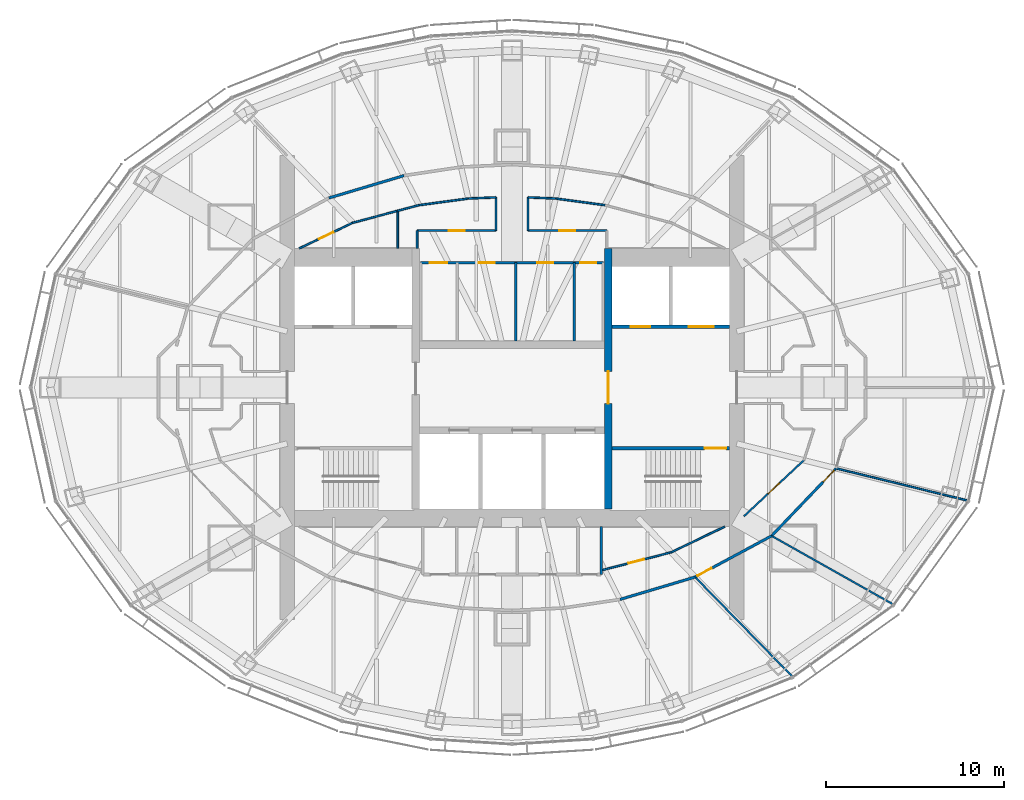
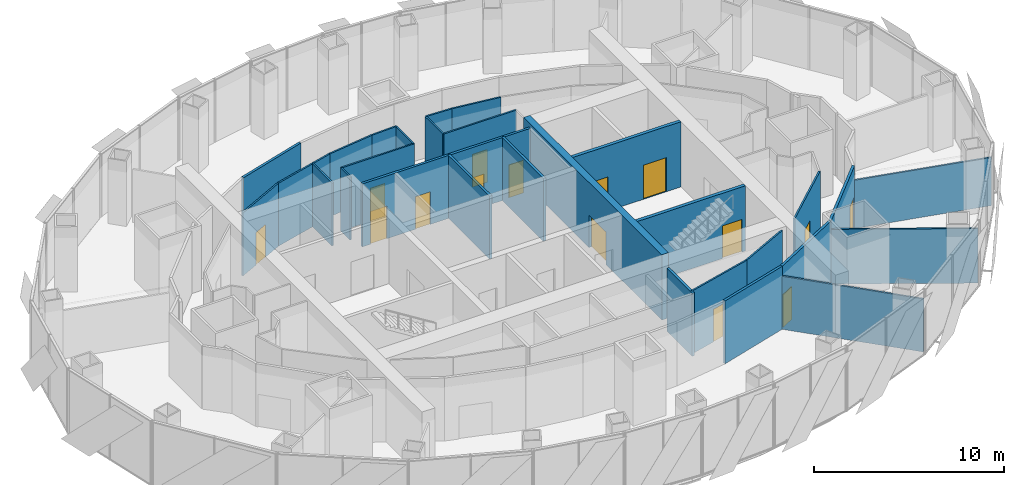
# One storey, part 13 of 17: 30 walls, 15 doors, 15 openings.
"""IFC4 building model written with IfcOpenShell, lengths in metres."""

from ifc_helpers import new_model, si_unit, direction, frame, frame_2d, origin, place, context, subcontext, project, spatial, rectangle, extrude, material, layer, layer_set, type_object, element, fill, save


model = new_model("IFC4")

# Units and contexts
model_context = context("Model", 3, precision=1e-05, world=origin(), true_north=direction((0.0, 1.0)))
body_context = subcontext(model_context, "Body", "Model", "MODEL_VIEW")
ifc_project = project(units=[si_unit("LENGTHUNIT", "METRE"), si_unit("AREAUNIT", "SQUARE_METRE"), si_unit("VOLUMEUNIT", "CUBIC_METRE"), si_unit("PLANEANGLEUNIT", "RADIAN"), si_unit("MASSUNIT", "GRAM", prefix="KILO")], contexts=[model_context])

# Site, building, storey
site_placement = place(None, origin())
site = spatial("IfcSite", under=ifc_project, at=site_placement, CompositionType="ELEMENT")
building_placement = place(site_placement, origin())
building = spatial("IfcBuilding", under=site, at=building_placement, Name="Lantaw Convention Tower", CompositionType="ELEMENT")
storey_placement = place(building_placement, frame((0.0, 0.0, 203.199951171875)))
storey = spatial("IfcBuildingStorey", under=building, at=storey_placement, Name="L47", CompositionType="ELEMENT", Elevation=203.199951171875)

# Wall, opening, door
ifc_material_1 = material(Name="Concrete C60/75", Category="concrete")
ifc_layer_1 = layer(ifc_material_1, 0.199951171875)
ifc_layer_set_1 = layer_set([ifc_layer_1], Name="Core wall 200")
wall_type_1 = type_object("IfcWallType", Name="Core wall 200", PredefinedType="SHEAR", material=ifc_layer_set_1)
wall_1_placement = place(storey_placement, frame((5.60009765625, -3.39990234375, 0.0), z_axis=(0.0, 0.0, 1.0), x_axis=(1.0, 0.0, 0.0)))
wall_1 = element("IfcWall", 1, at=wall_1_placement, inside=storey, type_object=wall_type_1, Name="Core wall ES", PredefinedType="SHEAR", context=body_context, shape_type="SweptSolid", body=[
    extrude(rectangle(XDim=6.599853515625, YDim=0.199951171875, at=frame_2d((3.2998046875, 0.0))), origin(), (0.0, 0.0, 1.0), 4.199951171875),
])
opening_1_placement = place(wall_1_placement, frame((5.199951171875, 0.0, 0.0)))
opening_1 = element("IfcOpeningElement", 2, at=opening_1_placement, cuts=wall_1, Name="Opening L47.03", PredefinedType="OPENING", context=body_context, shape_type="SweptSolid", body=[
    extrude(rectangle(XDim=1.199951171875, YDim=2.10009765625, at=frame_2d((0.60009765625, 1.050048828125))), frame((0.0, 0.10986328125, 0.0), z_axis=(0.0, -1.0, 0.0), x_axis=(1.0, 0.0, 0.0)), (0.0, 0.0, 1.0), 0.219970703125),
])
ifc_material_2 = material(Name="Steel, fire rated", Category="steel")
door_type_1 = type_object("IfcDoorType", Name="Stair door FD90", OperationType="SINGLE_SWING_RIGHT", PredefinedType="DOOR", material=ifc_material_2)
door_1_placement = place(opening_1_placement, origin())
door_1 = element("IfcDoor", 3, at=door_1_placement, inside=storey, type_object=door_type_1, Name="Exit stair door", OperationType="SINGLE_SWING_RIGHT", OverallHeight=2.10009765625, OverallWidth=1.199951171875, PredefinedType="DOOR", context=body_context, shape_type="SweptSolid", body=[
    extrude(rectangle(XDim=1.199951171875, YDim=2.10009765625, at=frame_2d((0.60009765625, 1.050048828125))), frame((0.0, 0.02490234375, 0.0), z_axis=(0.0, -1.0, 0.0), x_axis=(1.0, 0.0, 0.0)), (0.0, 0.0, 1.0), 0.050048828125),
])
fill(opening_1, door_1)

ifc_layer_2 = layer(ifc_material_1, 0.39990234375)
ifc_layer_set_2 = layer_set([ifc_layer_2], Name="Core wall 400")
wall_type_2 = type_object("IfcWallType", Name="Core wall 400", PredefinedType="SHEAR", material=ifc_layer_set_2)
wall_2_placement = place(storey_placement, frame((5.39990234375, -6.800048828125, 0.0), z_axis=(0.0, 0.0, 1.0), x_axis=(0.0, 1.0, 0.0)))
wall_2 = element("IfcWall", 4, at=wall_2_placement, inside=storey, type_object=wall_type_2, Name="Core wall XE", PredefinedType="SHEAR", context=body_context, shape_type="SweptSolid", body=[
    extrude(rectangle(XDim=14.60009765625, YDim=0.39990234375, at=frame_2d((7.300048828125, 0.0))), origin(), (0.0, 0.0, 1.0), 4.199951171875),
])
opening_2_placement = place(wall_2_placement, frame((5.89990234375, 0.0, 0.0)))
opening_2 = element("IfcOpeningElement", 5, at=opening_2_placement, cuts=wall_2, Name="Opening L47.01", PredefinedType="OPENING", context=body_context, shape_type="SweptSolid", body=[
    extrude(rectangle(XDim=1.800048828125, YDim=2.10009765625, at=frame_2d((0.89990234375, 1.050048828125))), frame((0.0, 0.2099609375, 0.0), z_axis=(0.0, -1.0, 0.0), x_axis=(1.0, 0.0, 0.0)), (0.0, 0.0, 1.0), 0.419921875),
])
door_type_2 = type_object("IfcDoorType", Name="Lobby double door FD90", OperationType="DOUBLE_DOOR_DOUBLE_SWING", PredefinedType="DOOR", material=ifc_material_2)
door_2_placement = place(opening_2_placement, origin())
door_2 = element("IfcDoor", 6, at=door_2_placement, inside=storey, type_object=door_type_2, Name="Lift lobby door", OperationType="DOUBLE_DOOR_DOUBLE_SWING", OverallHeight=2.10009765625, OverallWidth=1.800048828125, PredefinedType="DOOR", context=body_context, shape_type="SweptSolid", body=[
    extrude(rectangle(XDim=1.800048828125, YDim=2.10009765625, at=frame_2d((0.89990234375, 1.050048828125))), frame((0.0, 0.02490234375, 0.0), z_axis=(0.0, -1.0, 0.0), x_axis=(1.0, 0.0, 0.0)), (0.0, 0.0, 1.0), 0.050048828125),
])
fill(opening_2, door_2)

# Walls
ifc_material_3 = material(Name="Gypsum board on steel studs, fire rated", Category="steel")
ifc_layer_3 = layer(ifc_material_3, 0.14990234375)
ifc_layer_set_3 = layer_set([ifc_layer_3], Name="Corridor wall 150 EI 60")
wall_type_3 = type_object("IfcWallType", Name="Corridor wall 150 EI 60", PredefinedType="PARTITIONING", material=ifc_layer_set_3)
for number, where, z_axis, x_axis, name in (
    (7, (-6.05419921875, 11.88232421875, 0.0), (0.0, 0.0, 1.0), (-0.958384389306, -0.285480931648, 0.0), "Corridor wall 150"),
    (8, (6.05419921875, -11.88232421875, 0.0), (0.0, 0.0, 1.0), (0.958384389306, 0.285480931648, 0.0), "Corridor wall 150"),
):
    element("IfcWall", number, at=place(storey_placement, frame(where, z_axis=z_axis, x_axis=x_axis)), inside=storey, type_object=wall_type_3, Name=name, PredefinedType="PARTITIONING", context=body_context, shape_type="SweptSolid", body=[
        extrude(rectangle(XDim=4.392333984375, YDim=0.14990234375, at=frame_2d((2.1962890625, 0.0))), origin(), (0.0, 0.0, 1.0), 4.050048828125),
    ])

# Wall, opening, door
wall_3_placement = place(storey_placement, frame((10.263671875, -10.62841796875, 0.0), z_axis=(0.0, 0.0, 1.0), x_axis=(0.88053863253, 0.47397438393, 0.0)))
wall_3 = element("IfcWall", 9, at=wall_3_placement, inside=storey, type_object=wall_type_3, Name="Corridor wall 150", PredefinedType="PARTITIONING", context=body_context, shape_type="SweptSolid", body=[
    extrude(rectangle(XDim=4.874755859375, YDim=0.14990234375, at=frame_2d((2.4375, 0.0))), origin(), (0.0, 0.0, 1.0), 4.050048828125),
])
opening_3_placement = place(wall_3_placement, frame((0.14990234375, 0.0, 0.0)))
opening_3 = element("IfcOpeningElement", 10, at=opening_3_placement, cuts=wall_3, Name="Opening L47.35", PredefinedType="OPENING", context=body_context, shape_type="SweptSolid", body=[
    extrude(rectangle(XDim=0.89990234375, YDim=2.10009765625, at=frame_2d((0.449951171875, 1.050048828125))), frame((0.0, 0.0849609375, 0.0), z_axis=(0.0, -1.0, 0.0), x_axis=(1.0, 0.0, 0.0)), (0.0, 0.0, 1.0), 0.169921875),
])
door_type_3 = type_object("IfcDoorType", Name="Office door 900 FD30", OperationType="SINGLE_SWING_LEFT", PredefinedType="DOOR", material=ifc_material_2)
door_3_placement = place(opening_3_placement, origin())
door_3 = element("IfcDoor", 11, at=door_3_placement, inside=storey, type_object=door_type_3, Name="Pantry door", OperationType="SINGLE_SWING_LEFT", OverallHeight=2.10009765625, OverallWidth=0.89990234375, PredefinedType="DOOR", context=body_context, shape_type="SweptSolid", body=[
    extrude(rectangle(XDim=0.89990234375, YDim=2.10009765625, at=frame_2d((0.449951171875, 1.050048828125))), frame((0.0, 0.02490234375, 0.0), z_axis=(0.0, -1.0, 0.0), x_axis=(1.0, 0.0, 0.0)), (0.0, 0.0, 1.0), 0.050048828125),
])
fill(opening_3, door_3)

wall_4_placement = place(storey_placement, frame((14.55615234375, -8.31787109375, 0.0), z_axis=(0.0, 0.0, 1.0), x_axis=(0.690768413292, 0.723076067366, 0.0)))
wall_4 = element("IfcWall", 12, at=wall_4_placement, inside=storey, type_object=wall_type_3, Name="Corridor wall 150", PredefinedType="PARTITIONING", context=body_context, shape_type="SweptSolid", body=[
    extrude(rectangle(XDim=5.23681640625, YDim=0.14990234375, at=frame_2d((2.618408203125, 0.0))), origin(), (0.0, 0.0, 1.0), 4.050048828125),
])
opening_4_placement = place(wall_4_placement, frame((4.18701171875, 0.0, 0.0)))
opening_4 = element("IfcOpeningElement", 13, at=opening_4_placement, cuts=wall_4, Name="Opening L47.36", PredefinedType="OPENING", context=body_context, shape_type="SweptSolid", body=[
    extrude(rectangle(XDim=0.89990234375, YDim=2.10009765625, at=frame_2d((0.449951171875, 1.050048828125))), frame((0.0, 0.0849609375, 0.0), z_axis=(0.0, -1.0, 0.0), x_axis=(1.0, 0.0, 0.0)), (0.0, 0.0, 1.0), 0.169921875),
])
door_4_placement = place(opening_4_placement, origin())
door_4 = element("IfcDoor", 14, at=door_4_placement, inside=storey, type_object=door_type_3, Name="Meeting room door", OperationType="SINGLE_SWING_LEFT", OverallHeight=2.10009765625, OverallWidth=0.89990234375, PredefinedType="DOOR", context=body_context, shape_type="SweptSolid", body=[
    extrude(rectangle(XDim=0.89990234375, YDim=2.10009765625, at=frame_2d((0.449951171875, 1.050048828125))), frame((0.0, 0.02490234375, 0.0), z_axis=(0.0, -1.0, 0.0), x_axis=(1.0, 0.0, 0.0)), (0.0, 0.0, 1.0), 0.050048828125),
])
fill(opening_4, door_4)

# Walls
ifc_material_4 = material(Name="Gypsum board on steel studs, acoustic", Category="steel")
ifc_layer_4 = layer(ifc_material_4, 0.10009765625)
ifc_layer_set_4 = layer_set([ifc_layer_4], Name="Office partition 100")
wall_type_4 = type_object("IfcWallType", Name="Office partition 100", PredefinedType="PARTITIONING", material=ifc_layer_set_4)
wall_5_placement = place(storey_placement, frame((15.709228515625, -16.19873046875, 0.0), z_axis=(0.0, 0.0, 1.0), x_axis=(-0.699053895446, 0.715068983569, 0.0)))
element("IfcWall", 15, at=wall_5_placement, inside=storey, type_object=wall_type_4, Name="Office partition 100", PredefinedType="PARTITIONING", context=body_context, shape_type="SweptSolid", body=[
    extrude(rectangle(XDim=7.789794921875, YDim=0.10009765625, at=frame_2d((3.89501953125, 0.0))), origin(), (0.0, 0.0, 1.0), 3.409912109375),
])
wall_6_placement = place(storey_placement, frame((21.3583984375, -12.149658203125, 0.0), z_axis=(0.0, 0.0, 1.0), x_axis=(-0.871273053995, 0.490798599614, 0.0)))
element("IfcWall", 16, at=wall_6_placement, inside=storey, type_object=wall_type_4, Name="Office partition 100", PredefinedType="PARTITIONING", context=body_context, shape_type="SweptSolid", body=[
    extrude(rectangle(XDim=7.80712890625, YDim=0.10009765625, at=frame_2d((3.903564453125, 0.0))), origin(), (0.0, 0.0, 1.0), 3.521728515625),
])
wall_7_placement = place(storey_placement, frame((25.542724609375, -6.335693359375, 0.0), z_axis=(0.0, 0.0, 1.0), x_axis=(-0.97130474594, 0.237838370569, 0.0)))
element("IfcWall", 17, at=wall_7_placement, inside=storey, type_object=wall_type_4, Name="Office partition 100", PredefinedType="PARTITIONING", context=body_context, shape_type="SweptSolid", body=[
    extrude(rectangle(XDim=7.5869140625, YDim=0.10009765625, at=frame_2d((3.79345703125, 0.0))), origin(), (0.0, 0.0, 1.0), 3.107666015625),
])
wall_8_placement = place(storey_placement, frame((11.925537109375, -7.800048828125, 0.0), z_axis=(0.0, 0.0, 1.0), x_axis=(-0.901553947207, -0.432666708073, 0.0)))
element("IfcWall", 18, at=wall_8_placement, inside=storey, type_object=wall_type_4, Name="Office partition 100", PredefinedType="PARTITIONING", context=body_context, shape_type="SweptSolid", body=[
    extrude(rectangle(XDim=3.329833984375, YDim=0.10009765625, at=frame_2d((1.6650390625, 0.0))), origin(), (0.0, 0.0, 1.0), 4.050048828125),
])

# Wall, opening, door
wall_9_placement = place(storey_placement, frame((8.923583984375, -9.24072265625, 0.0), z_axis=(0.0, 0.0, 1.0), x_axis=(-0.968224167198, -0.250083910027, 0.0)))
wall_9 = element("IfcWall", 19, at=wall_9_placement, inside=storey, type_object=wall_type_4, Name="Office partition 100", PredefinedType="PARTITIONING", context=body_context, shape_type="SweptSolid", body=[
    extrude(rectangle(XDim=4.05224609375, YDim=0.10009765625, at=frame_2d((2.026123046875, 0.0))), origin(), (0.0, 0.0, 1.0), 4.050048828125),
])
opening_5_placement = place(wall_9_placement, frame((1.576171875, 0.0, 0.0)))
opening_5 = element("IfcOpeningElement", 20, at=opening_5_placement, cuts=wall_9, Name="Opening L47.24", PredefinedType="OPENING", context=body_context, shape_type="SweptSolid", body=[
    extrude(rectangle(XDim=0.89990234375, YDim=2.10009765625, at=frame_2d((0.449951171875, 1.050048828125))), frame((0.0, 0.06005859375, 0.0), z_axis=(0.0, -1.0, 0.0), x_axis=(1.0, 0.0, 0.0)), (0.0, 0.0, 1.0), 0.1201171875),
])
ifc_material_5 = material(Name="Timber", Category="wood")
door_type_4 = type_object("IfcDoorType", Name="Office door 900", OperationType="SINGLE_SWING_LEFT", PredefinedType="DOOR", material=ifc_material_5)
door_5_placement = place(opening_5_placement, origin())
door_5 = element("IfcDoor", 21, at=door_5_placement, inside=storey, type_object=door_type_4, Name="Tenant storage room door", OperationType="SINGLE_SWING_LEFT", OverallHeight=2.10009765625, OverallWidth=0.89990234375, PredefinedType="DOOR", context=body_context, shape_type="SweptSolid", body=[
    extrude(rectangle(XDim=0.89990234375, YDim=2.10009765625, at=frame_2d((0.449951171875, 1.050048828125))), frame((0.0, 0.02490234375, 0.0), z_axis=(0.0, -1.0, 0.0), x_axis=(1.0, 0.0, 0.0)), (0.0, 0.0, 1.0), 0.050048828125),
])
fill(opening_5, door_5)

wall_10_placement = place(storey_placement, frame((16.36279296875, -4.079833984375, 0.0), z_axis=(0.0, 0.0, 1.0), x_axis=(-0.730651186567, -0.682750938167, 0.0)))
wall_10 = element("IfcWall", 22, at=wall_10_placement, inside=storey, type_object=wall_type_4, Name="Office partition 100", PredefinedType="PARTITIONING", context=body_context, shape_type="SweptSolid", body=[
    extrude(rectangle(XDim=4.6025390625, YDim=0.10009765625, at=frame_2d((2.30126953125, 0.0))), origin(), (0.0, 0.0, 1.0), 4.050048828125),
])
opening_6_placement = place(wall_10_placement, frame((1.851318359375, 0.0, 0.0)))
opening_6 = element("IfcOpeningElement", 23, at=opening_6_placement, cuts=wall_10, Name="Opening L47.25", PredefinedType="OPENING", context=body_context, shape_type="SweptSolid", body=[
    extrude(rectangle(XDim=0.89990234375, YDim=2.10009765625, at=frame_2d((0.449951171875, 1.050048828125))), frame((0.0, 0.06005859375, 0.0), z_axis=(0.0, -1.0, 0.0), x_axis=(1.0, 0.0, 0.0)), (0.0, 0.0, 1.0), 0.1201171875),
])
door_6_placement = place(opening_6_placement, origin())
door_6 = element("IfcDoor", 24, at=door_6_placement, inside=storey, type_object=door_type_4, Name="Meeting room door", OperationType="SINGLE_SWING_LEFT", OverallHeight=2.10009765625, OverallWidth=0.89990234375, PredefinedType="DOOR", context=body_context, shape_type="SweptSolid", body=[
    extrude(rectangle(XDim=0.89990234375, YDim=2.10009765625, at=frame_2d((0.449951171875, 1.050048828125))), frame((0.0, 0.02490234375, 0.0), z_axis=(0.0, -1.0, 0.0), x_axis=(1.0, 0.0, 0.0)), (0.0, 0.0, 1.0), 0.050048828125),
])
fill(opening_6, door_6)

wall_11_placement = place(storey_placement, frame((5.320068359375, 8.800048828125, 0.0), z_axis=(0.0, 0.0, 1.0), x_axis=(-1.0, 0.0, 0.0)))
wall_11 = element("IfcWall", 25, at=wall_11_placement, inside=storey, type_object=wall_type_4, Name="Office partition 100", PredefinedType="PARTITIONING", context=body_context, shape_type="SweptSolid", body=[
    extrude(rectangle(XDim=4.420166015625, YDim=0.10009765625, at=frame_2d((2.2099609375, 0.0))), origin(), (0.0, 0.0, 1.0), 4.050048828125),
])
opening_7_placement = place(wall_11_placement, frame((1.760009765625, 0.0, 0.0)))
opening_7 = element("IfcOpeningElement", 26, at=opening_7_placement, cuts=wall_11, Name="Opening L47.27", PredefinedType="OPENING", context=body_context, shape_type="SweptSolid", body=[
    extrude(rectangle(XDim=0.89990234375, YDim=2.10009765625, at=frame_2d((0.449951171875, 1.050048828125))), frame((0.0, 0.06005859375, 0.0), z_axis=(0.0, -1.0, 0.0), x_axis=(1.0, 0.0, 0.0)), (0.0, 0.0, 1.0), 0.1201171875),
])
door_7_placement = place(opening_7_placement, origin())
door_7 = element("IfcDoor", 27, at=door_7_placement, inside=storey, type_object=door_type_4, Name="Project room door", OperationType="SINGLE_SWING_LEFT", OverallHeight=2.10009765625, OverallWidth=0.89990234375, PredefinedType="DOOR", context=body_context, shape_type="SweptSolid", body=[
    extrude(rectangle(XDim=0.89990234375, YDim=2.10009765625, at=frame_2d((0.449951171875, 1.050048828125))), frame((0.0, 0.02490234375, 0.0), z_axis=(0.0, -1.0, 0.0), x_axis=(1.0, 0.0, 0.0)), (0.0, 0.0, 1.0), 0.050048828125),
])
fill(opening_7, door_7)

# Walls
wall_12_placement = place(storey_placement, frame((0.89990234375, 8.800048828125, 0.0), z_axis=(0.0, 0.0, 1.0), x_axis=(0.0, 1.0, 0.0)))
element("IfcWall", 28, at=wall_12_placement, inside=storey, type_object=wall_type_4, Name="Office partition 100", PredefinedType="PARTITIONING", context=body_context, shape_type="SweptSolid", body=[
    extrude(rectangle(XDim=1.862060546875, YDim=0.10009765625, at=frame_2d((0.93115234375, 0.0))), origin(), (0.0, 0.0, 1.0), 4.050048828125),
])
wall_13_placement = place(storey_placement, frame((0.89990234375, 10.662109375, 0.0), z_axis=(0.0, 0.0, 1.0), x_axis=(0.999119627976, -0.041951984379, 0.0)))
element("IfcWall", 29, at=wall_13_placement, inside=storey, type_object=wall_type_4, Name="Office partition 100", PredefinedType="PARTITIONING", context=body_context, shape_type="SweptSolid", body=[
    extrude(rectangle(XDim=1.548095703125, YDim=0.10009765625, at=frame_2d((0.77392578125, 0.0))), origin(), (0.0, 0.0, 1.0), 4.050048828125),
])
wall_14_placement = place(storey_placement, frame((2.446533203125, 10.59716796875, 0.0), z_axis=(0.0, 0.0, 1.0), x_axis=(0.991095131259, -0.13315570132, 0.0)))
element("IfcWall", 30, at=wall_14_placement, inside=storey, type_object=wall_type_4, Name="Office partition 100", PredefinedType="PARTITIONING", context=body_context, shape_type="SweptSolid", body=[
    extrude(rectangle(XDim=2.788818359375, YDim=0.10009765625, at=frame_2d((1.39453125, 0.0))), origin(), (0.0, 0.0, 1.0), 4.050048828125),
])
wall_15_placement = place(storey_placement, frame((-8.923583984375, 9.24072265625, 0.0), z_axis=(0.0, 0.0, 1.0), x_axis=(0.966575327783, 0.256382791392, 0.0)))
element("IfcWall", 31, at=wall_15_placement, inside=storey, type_object=wall_type_4, Name="Office partition 100", PredefinedType="PARTITIONING", context=body_context, shape_type="SweptSolid", body=[
    extrude(rectangle(XDim=2.6005859375, YDim=0.10009765625, at=frame_2d((1.30029296875, 0.0))), origin(), (0.0, 0.0, 1.0), 4.050048828125),
])
wall_16_placement = place(storey_placement, frame((-6.409912109375, 9.907470703125, 0.0), z_axis=(0.0, 0.0, 1.0), x_axis=(0.0, -1.0, 0.0)))
element("IfcWall", 32, at=wall_16_placement, inside=storey, type_object=wall_type_4, Name="Office partition 100", PredefinedType="PARTITIONING", context=body_context, shape_type="SweptSolid", body=[
    extrude(rectangle(XDim=2.107421875, YDim=0.10009765625, at=frame_2d((1.0537109375, 0.0))), origin(), (0.0, 0.0, 1.0), 4.050048828125),
])

# Wall, opening, door
wall_17_placement = place(storey_placement, frame((-11.925537109375, 7.800048828125, 0.0), z_axis=(0.0, 0.0, 1.0), x_axis=(0.901553947207, 0.432666708073, 0.0)))
wall_17 = element("IfcWall", 33, at=wall_17_placement, inside=storey, type_object=wall_type_4, Name="Office partition 100", PredefinedType="PARTITIONING", context=body_context, shape_type="SweptSolid", body=[
    extrude(rectangle(XDim=3.329833984375, YDim=0.10009765625, at=frame_2d((1.6650390625, 0.0))), origin(), (0.0, 0.0, 1.0), 4.050048828125),
])
opening_8_placement = place(wall_17_placement, frame((1.21484375, 0.0, 0.0)))
opening_8 = element("IfcOpeningElement", 34, at=opening_8_placement, cuts=wall_17, Name="Opening L47.28", PredefinedType="OPENING", context=body_context, shape_type="SweptSolid", body=[
    extrude(rectangle(XDim=0.89990234375, YDim=2.10009765625, at=frame_2d((0.449951171875, 1.050048828125))), frame((0.0, 0.06005859375, 0.0), z_axis=(0.0, -1.0, 0.0), x_axis=(1.0, 0.0, 0.0)), (0.0, 0.0, 1.0), 0.1201171875),
])
door_8_placement = place(opening_8_placement, origin())
door_8 = element("IfcDoor", 35, at=door_8_placement, inside=storey, type_object=door_type_4, Name="Meeting room door", OperationType="SINGLE_SWING_LEFT", OverallHeight=2.10009765625, OverallWidth=0.89990234375, PredefinedType="DOOR", context=body_context, shape_type="SweptSolid", body=[
    extrude(rectangle(XDim=0.89990234375, YDim=2.10009765625, at=frame_2d((0.449951171875, 1.050048828125))), frame((0.0, 0.02490234375, 0.0), z_axis=(0.0, -1.0, 0.0), x_axis=(1.0, 0.0, 0.0)), (0.0, 0.0, 1.0), 0.050048828125),
])
fill(opening_8, door_8)

# Walls
wall_18_placement = place(storey_placement, frame((-5.21044921875, 10.225830078125, 0.0), z_axis=(0.0, 0.0, 1.0), x_axis=(0.991095131259, 0.13315570132, 0.0)))
element("IfcWall", 36, at=wall_18_placement, inside=storey, type_object=wall_type_4, Name="Office partition 100", PredefinedType="PARTITIONING", context=body_context, shape_type="SweptSolid", body=[
    extrude(rectangle(XDim=2.788818359375, YDim=0.10009765625, at=frame_2d((1.39453125, 0.0))), origin(), (0.0, 0.0, 1.0), 4.050048828125),
])
wall_19_placement = place(storey_placement, frame((-2.446533203125, 10.59716796875, 0.0), z_axis=(0.0, 0.0, 1.0), x_axis=(0.999119627976, 0.041951984379, 0.0)))
element("IfcWall", 37, at=wall_19_placement, inside=storey, type_object=wall_type_4, Name="Office partition 100", PredefinedType="PARTITIONING", context=body_context, shape_type="SweptSolid", body=[
    extrude(rectangle(XDim=1.548095703125, YDim=0.10009765625, at=frame_2d((0.77392578125, 0.0))), origin(), (0.0, 0.0, 1.0), 4.050048828125),
])
wall_20_placement = place(storey_placement, frame((-0.89990234375, 10.662109375, 0.0), z_axis=(0.0, 0.0, 1.0), x_axis=(0.0, -1.0, 0.0)))
element("IfcWall", 38, at=wall_20_placement, inside=storey, type_object=wall_type_4, Name="Office partition 100", PredefinedType="PARTITIONING", context=body_context, shape_type="SweptSolid", body=[
    extrude(rectangle(XDim=1.862060546875, YDim=0.10009765625, at=frame_2d((0.93115234375, 0.0))), origin(), (0.0, 0.0, 1.0), 4.050048828125),
])

# Wall, opening, door
wall_21_placement = place(storey_placement, frame((-0.89990234375, 8.800048828125, 0.0), z_axis=(0.0, 0.0, 1.0), x_axis=(-1.0, 0.0, 0.0)))
wall_21 = element("IfcWall", 39, at=wall_21_placement, inside=storey, type_object=wall_type_4, Name="Office partition 100", PredefinedType="PARTITIONING", context=body_context, shape_type="SweptSolid", body=[
    extrude(rectangle(XDim=4.420166015625, YDim=0.10009765625, at=frame_2d((2.2099609375, 0.0))), origin(), (0.0, 0.0, 1.0), 4.050048828125),
])
opening_9_placement = place(wall_21_placement, frame((1.760009765625, 0.0, 0.0)))
opening_9 = element("IfcOpeningElement", 40, at=opening_9_placement, cuts=wall_21, Name="Opening L47.29", PredefinedType="OPENING", context=body_context, shape_type="SweptSolid", body=[
    extrude(rectangle(XDim=0.89990234375, YDim=2.10009765625, at=frame_2d((0.449951171875, 1.050048828125))), frame((0.0, 0.06005859375, 0.0), z_axis=(0.0, -1.0, 0.0), x_axis=(1.0, 0.0, 0.0)), (0.0, 0.0, 1.0), 0.1201171875),
])
door_9_placement = place(opening_9_placement, origin())
door_9 = element("IfcDoor", 41, at=door_9_placement, inside=storey, type_object=door_type_4, Name="Comms room door", OperationType="SINGLE_SWING_LEFT", OverallHeight=2.10009765625, OverallWidth=0.89990234375, PredefinedType="DOOR", context=body_context, shape_type="SweptSolid", body=[
    extrude(rectangle(XDim=0.89990234375, YDim=2.10009765625, at=frame_2d((0.449951171875, 1.050048828125))), frame((0.0, 0.02490234375, 0.0), z_axis=(0.0, -1.0, 0.0), x_axis=(1.0, 0.0, 0.0)), (0.0, 0.0, 1.0), 0.050048828125),
])
fill(opening_9, door_9)

# Walls
wall_22_placement = place(storey_placement, frame((-5.320068359375, 8.800048828125, 0.0), z_axis=(0.0, 0.0, 1.0), x_axis=(0.0, -1.0, 0.0)))
element("IfcWall", 42, at=wall_22_placement, inside=storey, type_object=wall_type_4, Name="Office partition 100", PredefinedType="PARTITIONING", context=body_context, shape_type="SweptSolid", body=[
    extrude(rectangle(XDim=1.0, YDim=0.10009765625, at=frame_2d((0.5, 0.0))), origin(), (0.0, 0.0, 1.0), 4.050048828125),
])
wall_23_placement = place(storey_placement, frame((-6.409912109375, 9.907470703125, 0.0), z_axis=(0.0, 0.0, 1.0), x_axis=(0.966534683979, 0.256535971486, 0.0)))
element("IfcWall", 43, at=wall_23_placement, inside=storey, type_object=wall_type_4, Name="Office partition 100", PredefinedType="PARTITIONING", context=body_context, shape_type="SweptSolid", body=[
    extrude(rectangle(XDim=1.240966796875, YDim=0.10009765625, at=frame_2d((0.62060546875, 0.0))), origin(), (0.0, 0.0, 1.0), 4.050048828125),
])

# Wall, openings, doors
ifc_material_6 = material(Name="Concrete blockwork, fire rated", Category="masonry")
ifc_layer_5 = layer(ifc_material_6, 0.199951171875)
ifc_layer_set_5 = layer_set([ifc_layer_5], Name="Shaft wall 200")
wall_type_5 = type_object("IfcWallType", Name="Shaft wall 200", PredefinedType="SOLIDWALL", material=ifc_layer_set_5)
wall_24_placement = place(storey_placement, frame((12.199951171875, 3.39990234375, 0.0), z_axis=(0.0, 0.0, 1.0), x_axis=(-1.0, 0.0, 0.0)))
wall_24 = element("IfcWall", 44, at=wall_24_placement, inside=storey, type_object=wall_type_5, Name="Shaft wall EN", PredefinedType="SOLIDWALL", context=body_context, shape_type="SweptSolid", body=[
    extrude(rectangle(XDim=6.599853515625, YDim=0.199951171875, at=frame_2d((3.2998046875, 0.0))), origin(), (0.0, 0.0, 1.0), 4.199951171875),
])
opening_10_placement = place(wall_24_placement, frame((4.449951171875, 0.0, 0.0)))
opening_10 = element("IfcOpeningElement", 45, at=opening_10_placement, cuts=wall_24, Name="Opening L47.12", PredefinedType="OPENING", context=body_context, shape_type="SweptSolid", body=[
    extrude(rectangle(XDim=1.10009765625, YDim=2.199951171875, at=frame_2d((0.550048828125, 1.10009765625))), frame((0.0, 0.10986328125, 0.0), z_axis=(0.0, -1.0, 0.0), x_axis=(1.0, 0.0, 0.0)), (0.0, 0.0, 1.0), 0.219970703125),
])
opening_11_placement = place(wall_24_placement, frame((0.89990234375, 0.0, 0.0)))
opening_11 = element("IfcOpeningElement", 46, at=opening_11_placement, cuts=wall_24, Name="Opening L47.13", PredefinedType="OPENING", context=body_context, shape_type="SweptSolid", body=[
    extrude(rectangle(XDim=1.39990234375, YDim=2.199951171875, at=frame_2d((0.699951171875, 1.10009765625))), frame((0.0, 0.10986328125, 0.0), z_axis=(0.0, -1.0, 0.0), x_axis=(1.0, 0.0, 0.0)), (0.0, 0.0, 1.0), 0.219970703125),
])
ifc_material_7 = material(Name="Stainless steel", Category="steel")
door_type_5 = type_object("IfcDoorType", Name="Lift landing door 1100", OperationType="DOUBLE_DOOR_SLIDING", PredefinedType="DOOR", material=ifc_material_7)
door_10_placement = place(opening_10_placement, origin())
door_10 = element("IfcDoor", 47, at=door_10_placement, inside=storey, type_object=door_type_5, Name="Lift landing door FF2", OperationType="DOUBLE_DOOR_SLIDING", OverallHeight=2.199951171875, OverallWidth=1.10009765625, PredefinedType="DOOR", context=body_context, shape_type="SweptSolid", body=[
    extrude(rectangle(XDim=1.10009765625, YDim=2.199951171875, at=frame_2d((0.550048828125, 1.10009765625))), frame((0.0, 0.02490234375, 0.0), z_axis=(0.0, -1.0, 0.0), x_axis=(1.0, 0.0, 0.0)), (0.0, 0.0, 1.0), 0.050048828125),
])
fill(opening_10, door_10)
door_type_6 = type_object("IfcDoorType", Name="Lift landing door 1400", OperationType="DOUBLE_DOOR_SLIDING", PredefinedType="DOOR", material=ifc_material_7)
door_11_placement = place(opening_11_placement, origin())
door_11 = element("IfcDoor", 48, at=door_11_placement, inside=storey, type_object=door_type_6, Name="Lift landing door SV2", OperationType="DOUBLE_DOOR_SLIDING", OverallHeight=2.199951171875, OverallWidth=1.39990234375, PredefinedType="DOOR", context=body_context, shape_type="SweptSolid", body=[
    extrude(rectangle(XDim=1.39990234375, YDim=2.199951171875, at=frame_2d((0.699951171875, 1.10009765625))), frame((0.0, 0.02490234375, 0.0), z_axis=(0.0, -1.0, 0.0), x_axis=(1.0, 0.0, 0.0)), (0.0, 0.0, 1.0), 0.050048828125),
])
fill(opening_11, door_11)

ifc_material_8 = material(Name="Concrete blockwork", Category="masonry")
ifc_layer_6 = layer(ifc_material_8, 0.14990234375)
ifc_layer_set_6 = layer_set([ifc_layer_6], Name="WC wall 150")
wall_type_6 = type_object("IfcWallType", Name="WC wall 150", PredefinedType="SOLIDWALL", material=ifc_layer_set_6)
wall_25_placement = place(storey_placement, frame((-5.1201171875, 7.0, 0.0), z_axis=(0.0, 0.0, 1.0), x_axis=(1.0, 0.0, 0.0)))
wall_25 = element("IfcWall", 49, at=wall_25_placement, inside=storey, type_object=wall_type_6, Name="WC wall 150", PredefinedType="SOLIDWALL", context=body_context, shape_type="SweptSolid", body=[
    extrude(rectangle(XDim=10.240234375, YDim=0.14990234375, at=frame_2d((5.1201171875, 0.0))), origin(), (0.0, 0.0, 1.0), 4.050048828125),
])
opening_12_placement = place(wall_25_placement, frame((0.5, 0.0, 0.0)))
opening_12 = element("IfcOpeningElement", 50, at=opening_12_placement, cuts=wall_25, Name="Opening L47.14", PredefinedType="OPENING", context=body_context, shape_type="SweptSolid", body=[
    extrude(rectangle(XDim=1.0, YDim=2.10009765625, at=frame_2d((0.5, 1.050048828125))), frame((0.0, 0.0849609375, 0.0), z_axis=(0.0, -1.0, 0.0), x_axis=(1.0, 0.0, 0.0)), (0.0, 0.0, 1.0), 0.169921875),
])
opening_13_placement = place(wall_25_placement, frame((3.248046875, 0.0, 0.0)))
opening_13 = element("IfcOpeningElement", 51, at=opening_13_placement, cuts=wall_25, Name="Opening L47.15", PredefinedType="OPENING", context=body_context, shape_type="SweptSolid", body=[
    extrude(rectangle(XDim=0.89990234375, YDim=2.10009765625, at=frame_2d((0.449951171875, 1.050048828125))), frame((0.0, 0.0849609375, 0.0), z_axis=(0.0, -1.0, 0.0), x_axis=(1.0, 0.0, 0.0)), (0.0, 0.0, 1.0), 0.169921875),
])
opening_14_placement = place(wall_25_placement, frame((6.52490234375, 0.0, 0.0)))
opening_14 = element("IfcOpeningElement", 52, at=opening_14_placement, cuts=wall_25, Name="Opening L47.16", PredefinedType="OPENING", context=body_context, shape_type="SweptSolid", body=[
    extrude(rectangle(XDim=0.89990234375, YDim=2.10009765625, at=frame_2d((0.449951171875, 1.050048828125))), frame((0.0, 0.0849609375, 0.0), z_axis=(0.0, -1.0, 0.0), x_axis=(1.0, 0.0, 0.0)), (0.0, 0.0, 1.0), 0.169921875),
])
opening_15_placement = place(wall_25_placement, frame((8.95166015625, 0.0, 0.0)))
opening_15 = element("IfcOpeningElement", 53, at=opening_15_placement, cuts=wall_25, Name="Opening L47.17", PredefinedType="OPENING", context=body_context, shape_type="SweptSolid", body=[
    extrude(rectangle(XDim=0.89990234375, YDim=2.10009765625, at=frame_2d((0.449951171875, 1.050048828125))), frame((0.0, 0.0849609375, 0.0), z_axis=(0.0, -1.0, 0.0), x_axis=(1.0, 0.0, 0.0)), (0.0, 0.0, 1.0), 0.169921875),
])
door_type_7 = type_object("IfcDoorType", Name="Accessible WC door 1000", OperationType="SINGLE_SWING_LEFT", PredefinedType="DOOR", material=ifc_material_5)
door_12_placement = place(opening_12_placement, origin())
door_12 = element("IfcDoor", 54, at=door_12_placement, inside=storey, type_object=door_type_7, Name="Accessible WC door", OperationType="SINGLE_SWING_LEFT", OverallHeight=2.10009765625, OverallWidth=1.0, PredefinedType="DOOR", context=body_context, shape_type="SweptSolid", body=[
    extrude(rectangle(XDim=1.0, YDim=2.10009765625, at=frame_2d((0.5, 1.050048828125))), frame((0.0, 0.02490234375, 0.0), z_axis=(0.0, -1.0, 0.0), x_axis=(1.0, 0.0, 0.0)), (0.0, 0.0, 1.0), 0.050048828125),
])
fill(opening_12, door_12)
door_type_8 = type_object("IfcDoorType", Name="WC door 900", OperationType="SINGLE_SWING_LEFT", PredefinedType="DOOR", material=ifc_material_5)
door_13_placement = place(opening_13_placement, origin())
door_13 = element("IfcDoor", 55, at=door_13_placement, inside=storey, type_object=door_type_8, Name="Male WC door", OperationType="SINGLE_SWING_LEFT", OverallHeight=2.10009765625, OverallWidth=0.89990234375, PredefinedType="DOOR", context=body_context, shape_type="SweptSolid", body=[
    extrude(rectangle(XDim=0.89990234375, YDim=2.10009765625, at=frame_2d((0.449951171875, 1.050048828125))), frame((0.0, 0.02490234375, 0.0), z_axis=(0.0, -1.0, 0.0), x_axis=(1.0, 0.0, 0.0)), (0.0, 0.0, 1.0), 0.050048828125),
])
fill(opening_13, door_13)
door_14_placement = place(opening_14_placement, origin())
door_14 = element("IfcDoor", 56, at=door_14_placement, inside=storey, type_object=door_type_8, Name="Female WC door", OperationType="SINGLE_SWING_LEFT", OverallHeight=2.10009765625, OverallWidth=0.89990234375, PredefinedType="DOOR", context=body_context, shape_type="SweptSolid", body=[
    extrude(rectangle(XDim=0.89990234375, YDim=2.10009765625, at=frame_2d((0.449951171875, 1.050048828125))), frame((0.0, 0.02490234375, 0.0), z_axis=(0.0, -1.0, 0.0), x_axis=(1.0, 0.0, 0.0)), (0.0, 0.0, 1.0), 0.050048828125),
])
fill(opening_14, door_14)
door_15_placement = place(opening_15_placement, origin())
door_15 = element("IfcDoor", 57, at=door_15_placement, inside=storey, type_object=door_type_8, Name="Cleaner's store door", OperationType="SINGLE_SWING_LEFT", OverallHeight=2.10009765625, OverallWidth=0.89990234375, PredefinedType="DOOR", context=body_context, shape_type="SweptSolid", body=[
    extrude(rectangle(XDim=0.89990234375, YDim=2.10009765625, at=frame_2d((0.449951171875, 1.050048828125))), frame((0.0, 0.02490234375, 0.0), z_axis=(0.0, -1.0, 0.0), x_axis=(1.0, 0.0, 0.0)), (0.0, 0.0, 1.0), 0.050048828125),
])
fill(opening_15, door_15)

# Walls
for number, where, z_axis, x_axis, name in (
    (58, (0.204833984375, 2.60009765625, 0.0), (0.0, 0.0, 1.0), (0.0, 1.0, 0.0), "WC wall 150"),
    (59, (3.481689453125, 2.60009765625, 0.0), (0.0, 0.0, 1.0), (0.0, 1.0, 0.0), "WC wall 150"),
):
    element("IfcWall", number, at=place(storey_placement, frame(where, z_axis=z_axis, x_axis=x_axis)), inside=storey, type_object=wall_type_6, Name=name, PredefinedType="SOLIDWALL", context=body_context, shape_type="SweptSolid", body=[
        extrude(rectangle(XDim=4.39990234375, YDim=0.14990234375, at=frame_2d((2.199951171875, 0.0))), origin(), (0.0, 0.0, 1.0), 4.050048828125),
    ])
wall_26_placement = place(storey_placement, frame((5.0, -7.800048828125, 0.0), z_axis=(0.0, 0.0, 1.0), x_axis=(0.0, -1.0, 0.0)))
element("IfcWall", 60, at=wall_26_placement, inside=storey, type_object=wall_type_6, Name="WC wall 150", PredefinedType="SOLIDWALL", context=body_context, shape_type="SweptSolid", body=[
    extrude(rectangle(XDim=2.681884765625, YDim=0.14990234375, at=frame_2d((1.3408203125, 0.0))), origin(), (0.0, 0.0, 1.0), 4.050048828125),
])

save(model, "model.ifc")
